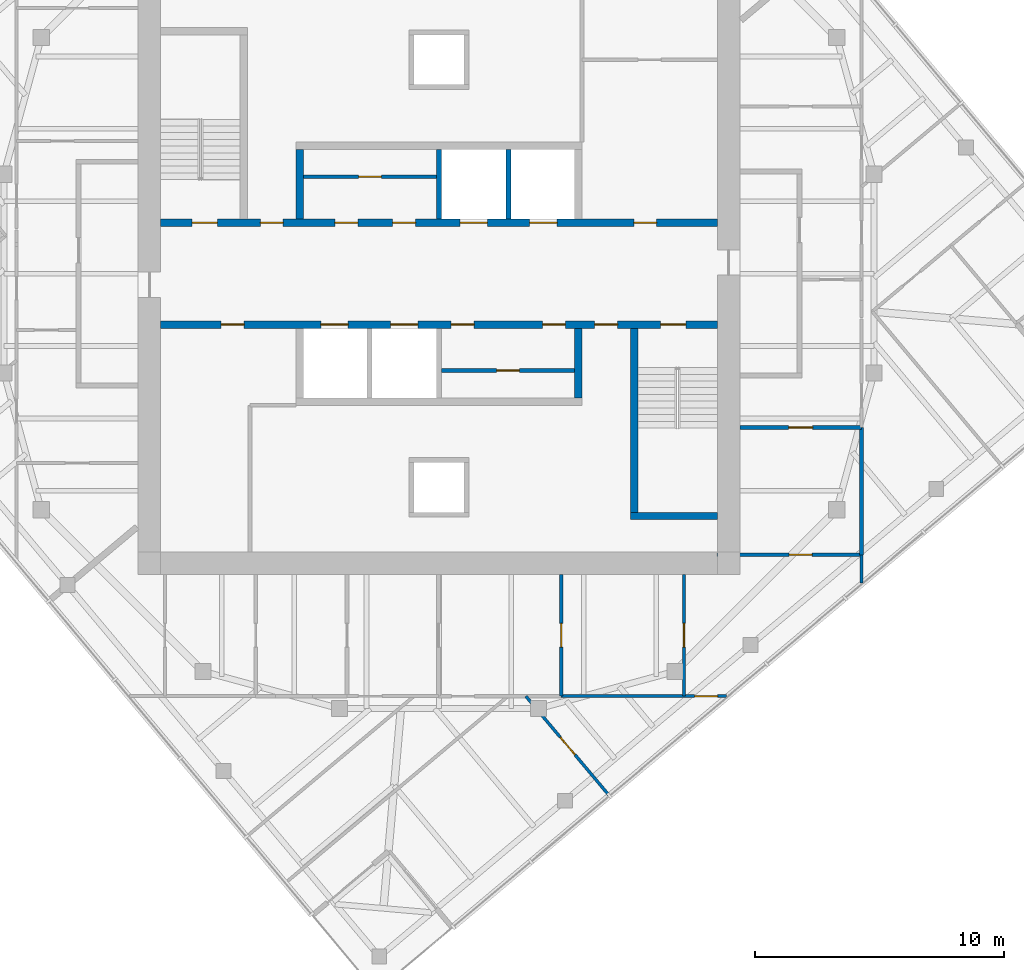
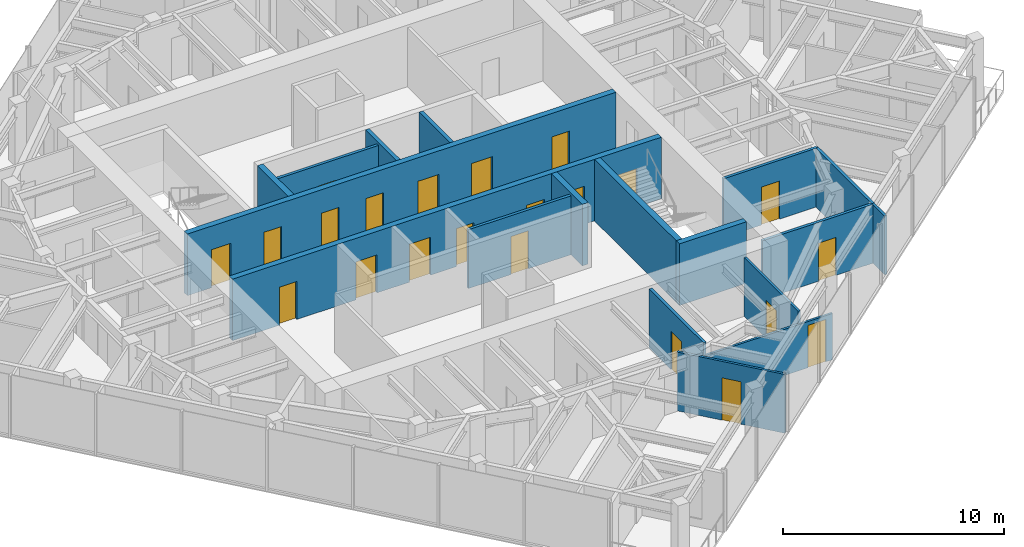
# One storey, part 8 of 12: 22 doors, 18 walls, 22 openings.
"""IFC4 building model written with IfcOpenShell, lengths in metres."""

import ifcopenshell
import ifcopenshell.guid

model = None  # the IFC model being written
_history = None  # IfcOwnerHistory: only IFC2X3 demands one
_inside = {}  # id of a spatial element -> (the spatial element, [elements in it])
_under = {}  # id of a project, library or spatial element -> (it, [spatial elements below it])
_declared = {}  # id of a project -> (the project, [libraries it declares])
_typed = {}  # id of a type object -> (the type object, [elements of that type])
_made_of = {}  # id of a material, layer set ... -> (it, [elements and type objects made of it])


def new_model(schema):
    """Start an empty IFC model of exactly this schema.

    Asked for "IFC4X3", IfcOpenShell would pick the latest addendum, in which some entities
    have other attributes; the version numbers below select the first issue.
    IFC2X3 requires an IfcOwnerHistory on every rooted entity: one is made here for all.
    """
    global model, _history
    if schema == "IFC4X3":
        model = ifcopenshell.file(schema_version=(4, 3, 0, 0))
    else:
        model = ifcopenshell.file(schema=schema)
    _inside.clear()
    _under.clear()
    _declared.clear()
    _typed.clear()
    _made_of.clear()
    _history = None
    if model.schema == "IFC2X3":
        org = make("IfcOrganization", Name="unknown")
        user = make(
            "IfcPersonAndOrganization",
            ThePerson=make("IfcPerson", FamilyName="unknown"),
            TheOrganization=org,
        )
        app = make(
            "IfcApplication",
            ApplicationDeveloper=org,
            Version="unknown",
            ApplicationFullName="unknown",
            ApplicationIdentifier="unknown",
        )
        _history = make(
            "IfcOwnerHistory",
            OwningUser=user,
            OwningApplication=app,
            ChangeAction="ADDED",
            CreationDate=0,
        )
    return model


def make(cls, **values):
    """One entity of the class cls with the attributes given. An attribute that is None is left unset."""
    return model.create_entity(
        cls, **{name: value for name, value in values.items() if value is not None}
    )


def rooted(cls, **values):
    """An entity with a GlobalId (a new one), such as an element, a storey or a relation."""
    return make(cls, GlobalId=ifcopenshell.guid.new(), OwnerHistory=_history, **values)


def si_unit(unit_type, name, prefix=None):
    """IfcSIUnit, for example si_unit("LENGTHUNIT", "METRE", prefix="MILLI")."""
    return make("IfcSIUnit", UnitType=unit_type, Prefix=prefix, Name=name)


def assignment(units):
    """IfcUnitAssignment: the units of a project."""
    return None if units is None else make("IfcUnitAssignment", Units=units)


def point(xyz):
    """IfcCartesianPoint."""
    return None if xyz is None else make("IfcCartesianPoint", Coordinates=xyz)


def direction(xyz):
    """IfcDirection."""
    return None if xyz is None else make("IfcDirection", DirectionRatios=xyz)


def frame(location, z_axis=None, x_axis=None):
    """IfcAxis2Placement3D, a coordinate frame: its origin and axes. An axis left out is left unset."""
    return make(
        "IfcAxis2Placement3D",
        Location=point(location),
        Axis=direction(z_axis),
        RefDirection=direction(x_axis),
    )


def frame_2d(location, x_axis=None):
    """IfcAxis2Placement2D, a coordinate frame in the plane: its origin and x axis."""
    return make(
        "IfcAxis2Placement2D", Location=point(location), RefDirection=direction(x_axis)
    )


def origin():
    """The frame at (0, 0, 0) with its axes left unset."""
    return frame((0.0, 0.0, 0.0))


def place(relative_to, where):
    """IfcLocalPlacement: puts the frame where relative to a parent placement (None: the world)."""
    return make(
        "IfcLocalPlacement", PlacementRelTo=relative_to, RelativePlacement=where
    )


def context(
    kind, dimensions, precision=None, world=None, true_north=None, identifier=None
):
    """IfcGeometricRepresentationContext, for example the 3D "Model" context."""
    return make(
        "IfcGeometricRepresentationContext",
        ContextIdentifier=identifier,
        ContextType=kind,
        CoordinateSpaceDimension=dimensions,
        Precision=precision,
        WorldCoordinateSystem=world,
        TrueNorth=true_north,
    )


def subcontext(parent, identifier, kind, view, scale=None):
    """IfcGeometricRepresentationSubContext, for example "Body" below "Model"."""
    return make(
        "IfcGeometricRepresentationSubContext",
        ContextIdentifier=identifier,
        ContextType=kind,
        ParentContext=parent,
        TargetScale=scale,
        TargetView=view,
    )


def project(units=None, contexts=None):
    """IfcProject with its units and contexts."""
    return rooted(
        "IfcProject",
        Name="project",
        RepresentationContexts=contexts,
        UnitsInContext=assignment(units),
    )


def spatial(cls, under=None, at=None, **own):
    """A site, building, storey or space (cls), placed at a placement, below another one or the project."""
    s = rooted(cls, ObjectPlacement=at, **own)
    if under is not None:
        _under.setdefault(under.id(), (under, []))[1].append(s)
    return s


def profile(cls, at=None, kind="AREA", **sizes):
    """A parametric profile (cls). Its sizes go by their IFC names, for example OverallWidth=200.0."""
    return make(cls, ProfileType=kind, Position=at, **sizes)


def rectangle(**sizes):
    """IfcRectangleProfileDef."""
    return profile("IfcRectangleProfileDef", **sizes)


def extrude(swept, where, along, depth):
    """IfcExtrudedAreaSolid: the profile swept, set in the frame where, extruded along a direction by depth."""
    return make(
        "IfcExtrudedAreaSolid",
        SweptArea=swept,
        Position=where,
        ExtrudedDirection=direction(along),
        Depth=depth,
    )


def shape(context_of_items, identifier, shape_type, items):
    """IfcShapeRepresentation: the items that make up one representation, for example the "Body"."""
    return make(
        "IfcShapeRepresentation",
        ContextOfItems=context_of_items,
        RepresentationIdentifier=identifier,
        RepresentationType=shape_type,
        Items=items,
    )


def material(Name=None, Category=None):
    """IfcMaterial."""
    return make("IfcMaterial", Name=Name, Category=Category)


def layer(
    of_material, thickness, ventilated=None, Name=None, Category=None, Priority=None
):
    """IfcMaterialLayer: one layer of a wall or slab, of a material (None: an air gap)."""
    return make(
        "IfcMaterialLayer",
        Material=of_material,
        LayerThickness=thickness,
        IsVentilated=ventilated,
        Name=Name,
        Category=Category,
        Priority=Priority,
    )


def layer_set(layers, Name=None):
    """IfcMaterialLayerSet."""
    return make("IfcMaterialLayerSet", MaterialLayers=layers, LayerSetName=Name)


def made_of(thing, what):
    """Note that an element or type object is made of a material, layer set ...; save() writes the relation."""
    if what is not None:
        _made_of.setdefault(what.id(), (what, []))[1].append(thing)
    return thing


def type_object(cls, material=None, **own):
    """A type object (cls), such as IfcWallType, which elements share."""
    return made_of(rooted(cls, **own), material)


def element(
    cls,
    number,
    at=None,
    inside=None,
    cuts=None,
    type_object=None,
    material=None,
    context=None,
    identifier="Body",
    shape_type=None,
    held_by="IfcProductDefinitionShape",
    body=None,
    shapes=None,
    **own,
):
    """One element of the class cls, such as IfcWall. Its Tag is "e" and its number.

    at: its placement. inside: the storey or other place that contains it. cuts: it is an
    opening in that element (IfcRelVoidsElement). A single representation is given by context,
    identifier, shape_type and body (its items); several are given by shapes. held_by: the class
    of the entity that holds the representations. save() writes the other relations.
    """
    e = rooted(cls, Tag="e%d" % number, ObjectPlacement=at, **own)
    if body is not None:
        shapes = [shape(context, identifier, shape_type, body)]
    if shapes is not None:
        e.Representation = make(held_by, Representations=shapes)
    if inside is not None:
        _inside.setdefault(inside.id(), (inside, []))[1].append(e)
    if cuts is not None:
        rooted(
            "IfcRelVoidsElement", RelatingBuildingElement=cuts, RelatedOpeningElement=e
        )
    if type_object is not None:
        _typed.setdefault(type_object.id(), (type_object, []))[1].append(e)
    return made_of(e, material)


def fill(opening, filler):
    """IfcRelFillsElement: the door or window that sits in an opening."""
    return rooted(
        "IfcRelFillsElement",
        RelatingOpeningElement=opening,
        RelatedBuildingElement=filler,
    )


def aggregate(whole, parts):
    """IfcRelAggregates: a whole, such as a stair, and the parts it consists of."""
    return rooted("IfcRelAggregates", RelatingObject=whole, RelatedObjects=parts)


def save(model, path):
    """Write the relations noted so far, then the file.

    IfcRelAggregates (storeys below a building ...), IfcRelContainedInSpatialStructure (elements
    in a storey), IfcRelDefinesByType, IfcRelAssociatesMaterial and IfcRelDeclares: one each for
    every whole, place, type object, material and project.
    """
    for whole, parts in _under.values():
        aggregate(whole, parts)
    for where, things in _inside.values():
        rooted(
            "IfcRelContainedInSpatialStructure",
            RelatedElements=things,
            RelatingStructure=where,
        )
    for kind, things in _typed.values():
        rooted("IfcRelDefinesByType", RelatedObjects=things, RelatingType=kind)
    for what, things in _made_of.values():
        rooted("IfcRelAssociatesMaterial", RelatedObjects=things, RelatingMaterial=what)
    for by, libraries in _declared.values():
        rooted("IfcRelDeclares", RelatingContext=by, RelatedDefinitions=libraries)
    model.write(path)


model = new_model("IFC4")

# Units and contexts
model_context = context("Model", 3, precision=1e-05, world=origin(), true_north=direction((0.0, 1.0)))
body_context = subcontext(model_context, "Body", "Model", "MODEL_VIEW")
ifc_project = project(units=[si_unit("LENGTHUNIT", "METRE"), si_unit("AREAUNIT", "SQUARE_METRE"), si_unit("VOLUMEUNIT", "CUBIC_METRE"), si_unit("PLANEANGLEUNIT", "RADIAN"), si_unit("MASSUNIT", "GRAM", prefix="KILO")], contexts=[model_context])

# Site, building, storey
site_placement = place(None, origin())
site = spatial("IfcSite", under=ifc_project, at=site_placement, CompositionType="ELEMENT")
building_placement = place(site_placement, origin())
building = spatial("IfcBuilding", under=site, at=building_placement, Name="Torsade Residences", CompositionType="ELEMENT")
storey_placement = place(building_placement, frame((0.0, 0.0, 279.39990234375)))
storey = spatial("IfcBuildingStorey", under=building, at=storey_placement, Name="L77", CompositionType="ELEMENT", Elevation=279.39990234375)

# Wall, openings, doors
ifc_material_1 = material(Name="Concrete 80 MPa", Category="concrete")
ifc_layer_1 = layer(ifc_material_1, 0.300048828125)
ifc_layer_set_1 = layer_set([ifc_layer_1], Name="Concrete 80 MPa")
wall_type_1 = type_object("IfcWallType", Name="CORE INTERNAL WALL 300", PredefinedType="SHEAR", material=ifc_layer_set_1)
wall_1_placement = place(storey_placement, frame((28.800048828125, 32.050048828125, 0.0), z_axis=(0.0, 0.0, 1.0), x_axis=(1.0, 0.0, 0.0)))
wall_1 = element("IfcWall", 1, at=wall_1_placement, inside=storey, type_object=wall_type_1, Name="Core wall LN L77", PredefinedType="SHEAR", context=body_context, shape_type="SweptSolid", body=[
    extrude(rectangle(XDim=22.39990234375, YDim=0.300048828125, at=frame_2d((11.199951171875, 0.0))), origin(), (0.0, 0.0, 1.0), 3.400146484375),
])
opening_1_placement = place(wall_1_placement, frame((19.0400390625, 0.0, 0.0)))
opening_1 = element("IfcOpeningElement", 2, at=opening_1_placement, cuts=wall_1, Name="Opening D06", PredefinedType="OPENING", context=body_context, shape_type="SweptSolid", body=[
    extrude(rectangle(XDim=0.919921875, YDim=2.10009765625, at=frame_2d((0.4599609375, 1.050048828125))), frame((0.0, 0.159912109375, 0.0), z_axis=(0.0, -1.0, 0.0), x_axis=(1.0, 0.0, 0.0)), (0.0, 0.0, 1.0), 0.320068359375),
])
opening_2_placement = place(wall_1_placement, frame((1.264892578125, 0.0, 0.0)))
opening_2 = element("IfcOpeningElement", 3, at=opening_2_placement, cuts=wall_1, Name="Opening D03", PredefinedType="OPENING", context=body_context, shape_type="SweptSolid", body=[
    extrude(rectangle(XDim=1.02001953125, YDim=2.10009765625, at=frame_2d((0.510009765625, 1.050048828125))), frame((0.0, 0.159912109375, 0.0), z_axis=(0.0, -1.0, 0.0), x_axis=(1.0, 0.0, 0.0)), (0.0, 0.0, 1.0), 0.320068359375),
])
opening_3_placement = place(wall_1_placement, frame((4.014892578125, 0.0, 0.0)))
opening_3 = element("IfcOpeningElement", 4, at=opening_3_placement, cuts=wall_1, Name="Opening D06", PredefinedType="OPENING", context=body_context, shape_type="SweptSolid", body=[
    extrude(rectangle(XDim=0.919921875, YDim=2.10009765625, at=frame_2d((0.4599609375, 1.050048828125))), frame((0.0, 0.159912109375, 0.0), z_axis=(0.0, -1.0, 0.0), x_axis=(1.0, 0.0, 0.0)), (0.0, 0.0, 1.0), 0.320068359375),
])
opening_4_placement = place(wall_1_placement, frame((7.014892578125, 0.0, 0.0)))
opening_4 = element("IfcOpeningElement", 5, at=opening_4_placement, cuts=wall_1, Name="Opening D06", PredefinedType="OPENING", context=body_context, shape_type="SweptSolid", body=[
    extrude(rectangle(XDim=0.919921875, YDim=2.10009765625, at=frame_2d((0.4599609375, 1.050048828125))), frame((0.0, 0.159912109375, 0.0), z_axis=(0.0, -1.0, 0.0), x_axis=(1.0, 0.0, 0.0)), (0.0, 0.0, 1.0), 0.320068359375),
])
opening_5_placement = place(wall_1_placement, frame((9.340087890625, 0.0, 0.0)))
opening_5 = element("IfcOpeningElement", 6, at=opening_5_placement, cuts=wall_1, Name="Opening D06", PredefinedType="OPENING", context=body_context, shape_type="SweptSolid", body=[
    extrude(rectangle(XDim=0.919921875, YDim=2.10009765625, at=frame_2d((0.4599609375, 1.050048828125))), frame((0.0, 0.159912109375, 0.0), z_axis=(0.0, -1.0, 0.0), x_axis=(1.0, 0.0, 0.0)), (0.0, 0.0, 1.0), 0.320068359375),
])
opening_6_placement = place(wall_1_placement, frame((12.050048828125, 0.0, 0.0)))
opening_6 = element("IfcOpeningElement", 7, at=opening_6_placement, cuts=wall_1, Name="Opening LD", PredefinedType="OPENING", context=body_context, shape_type="SweptSolid", body=[
    extrude(rectangle(XDim=1.10009765625, YDim=2.10009765625, at=frame_2d((0.550048828125, 1.050048828125))), frame((0.0, 0.159912109375, 0.0), z_axis=(0.0, -1.0, 0.0), x_axis=(1.0, 0.0, 0.0)), (0.0, 0.0, 1.0), 0.320068359375),
])
opening_7_placement = place(wall_1_placement, frame((14.85009765625, 0.0, 0.0)))
opening_7 = element("IfcOpeningElement", 8, at=opening_7_placement, cuts=wall_1, Name="Opening LD", PredefinedType="OPENING", context=body_context, shape_type="SweptSolid", body=[
    extrude(rectangle(XDim=1.10009765625, YDim=2.10009765625, at=frame_2d((0.550048828125, 1.050048828125))), frame((0.0, 0.159912109375, 0.0), z_axis=(0.0, -1.0, 0.0), x_axis=(1.0, 0.0, 0.0)), (0.0, 0.0, 1.0), 0.320068359375),
])
ifc_material_2 = material(Name="Steel-framed fire door", Category="steel")
door_type_1 = type_object("IfcDoorType", Name="FIRE DOOR 1020", OperationType="NOTDEFINED", PredefinedType="DOOR", material=ifc_material_2)
door_1_placement = place(opening_2_placement, origin())
door_1 = element("IfcDoor", 9, at=door_1_placement, inside=storey, type_object=door_type_1, Name="Exit door to fire-isolated stair ST1 L77", OperationType="SINGLE_SWING_RIGHT", OverallHeight=2.10009765625, OverallWidth=1.02001953125, PredefinedType="DOOR", context=body_context, shape_type="SweptSolid", body=[
    extrude(rectangle(XDim=1.02001953125, YDim=2.10009765625, at=frame_2d((0.510009765625, 1.050048828125))), frame((0.0, 0.02490234375, 0.0), z_axis=(0.0, -1.0, 0.0), x_axis=(1.0, 0.0, 0.0)), (0.0, 0.0, 1.0), 0.050048828125),
])
fill(opening_2, door_1)
ifc_material_3 = material(Name="Steel-framed fire door", Category="steel")
door_type_2 = type_object("IfcDoorType", Name="FIRE DOOR 920", OperationType="NOTDEFINED", PredefinedType="DOOR", material=ifc_material_3)
door_2_placement = place(opening_1_placement, origin())
door_2 = element("IfcDoor", 10, at=door_2_placement, inside=storey, type_object=door_type_2, Name="Door Lift lobby to Refuse room", OperationType="SINGLE_SWING_LEFT", OverallHeight=2.10009765625, OverallWidth=0.919921875, PredefinedType="DOOR", context=body_context, shape_type="SweptSolid", body=[
    extrude(rectangle(XDim=0.919921875, YDim=2.10009765625, at=frame_2d((0.4599609375, 1.050048828125))), frame((0.0, 0.02490234375, 0.0), z_axis=(0.0, -1.0, 0.0), x_axis=(1.0, 0.0, 0.0)), (0.0, 0.0, 1.0), 0.050048828125),
])
fill(opening_1, door_2)
door_3_placement = place(opening_3_placement, origin())
door_3 = element("IfcDoor", 11, at=door_3_placement, inside=storey, type_object=door_type_2, Name="Door Lift lobby to Electrical riser room", OperationType="SINGLE_SWING_LEFT", OverallHeight=2.10009765625, OverallWidth=0.919921875, PredefinedType="DOOR", context=body_context, shape_type="SweptSolid", body=[
    extrude(rectangle(XDim=0.919921875, YDim=2.10009765625, at=frame_2d((0.4599609375, 1.050048828125))), frame((0.0, 0.02490234375, 0.0), z_axis=(0.0, -1.0, 0.0), x_axis=(1.0, 0.0, 0.0)), (0.0, 0.0, 1.0), 0.050048828125),
])
fill(opening_3, door_3)
door_4_placement = place(opening_4_placement, origin())
door_4 = element("IfcDoor", 12, at=door_4_placement, inside=storey, type_object=door_type_2, Name="Door Lift lobby to Linen store L77A", OperationType="SINGLE_SWING_RIGHT", OverallHeight=2.10009765625, OverallWidth=0.919921875, PredefinedType="DOOR", context=body_context, shape_type="SweptSolid", body=[
    extrude(rectangle(XDim=0.919921875, YDim=2.10009765625, at=frame_2d((0.4599609375, 1.050048828125))), frame((0.0, 0.02490234375, 0.0), z_axis=(0.0, -1.0, 0.0), x_axis=(1.0, 0.0, 0.0)), (0.0, 0.0, 1.0), 0.050048828125),
])
fill(opening_4, door_4)
door_5_placement = place(opening_5_placement, origin())
door_5 = element("IfcDoor", 13, at=door_5_placement, inside=storey, type_object=door_type_2, Name="Door Lift lobby to Linen store L77A", OperationType="SINGLE_SWING_RIGHT", OverallHeight=2.10009765625, OverallWidth=0.919921875, PredefinedType="DOOR", context=body_context, shape_type="SweptSolid", body=[
    extrude(rectangle(XDim=0.919921875, YDim=2.10009765625, at=frame_2d((0.4599609375, 1.050048828125))), frame((0.0, 0.02490234375, 0.0), z_axis=(0.0, -1.0, 0.0), x_axis=(1.0, 0.0, 0.0)), (0.0, 0.0, 1.0), 0.050048828125),
])
fill(opening_5, door_5)
ifc_material_4 = material(Name="Stainless steel lift landing door", Category="steel")
door_type_3 = type_object("IfcDoorType", Name="LIFT LANDING DOOR 1100", OperationType="SLIDING_TO_LEFT", PredefinedType="DOOR", material=ifc_material_4)
door_6_placement = place(opening_6_placement, origin())
door_6 = element("IfcDoor", 14, at=door_6_placement, inside=storey, type_object=door_type_3, Name="Lift LA3 landing door L77", OperationType="SLIDING_TO_LEFT", OverallHeight=2.10009765625, OverallWidth=1.10009765625, PredefinedType="DOOR", context=body_context, shape_type="SweptSolid", body=[
    extrude(rectangle(XDim=1.10009765625, YDim=2.10009765625, at=frame_2d((0.550048828125, 1.050048828125))), frame((0.0, 0.02490234375, 0.0), z_axis=(0.0, -1.0, 0.0), x_axis=(1.0, 0.0, 0.0)), (0.0, 0.0, 1.0), 0.050048828125),
])
fill(opening_6, door_6)
door_7_placement = place(opening_7_placement, origin())
door_7 = element("IfcDoor", 15, at=door_7_placement, inside=storey, type_object=door_type_3, Name="Lift FL1 landing door L77", OperationType="SLIDING_TO_LEFT", OverallHeight=2.10009765625, OverallWidth=1.10009765625, PredefinedType="DOOR", context=body_context, shape_type="SweptSolid", body=[
    extrude(rectangle(XDim=1.10009765625, YDim=2.10009765625, at=frame_2d((0.550048828125, 1.050048828125))), frame((0.0, 0.02490234375, 0.0), z_axis=(0.0, -1.0, 0.0), x_axis=(1.0, 0.0, 0.0)), (0.0, 0.0, 1.0), 0.050048828125),
])
fill(opening_7, door_7)

wall_2_placement = place(storey_placement, frame((51.199951171875, 27.949951171875, 0.0), z_axis=(0.0, 0.0, 1.0), x_axis=(-1.0, 0.0, 0.0)))
wall_2 = element("IfcWall", 16, at=wall_2_placement, inside=storey, type_object=wall_type_1, Name="Core wall LS L77", PredefinedType="SHEAR", context=body_context, shape_type="SweptSolid", body=[
    extrude(rectangle(XDim=22.39990234375, YDim=0.300048828125, at=frame_2d((11.199951171875, 0.0))), origin(), (0.0, 0.0, 1.0), 3.400146484375),
])
opening_8_placement = place(wall_2_placement, frame((19.0400390625, 0.0, 0.0)))
opening_8 = element("IfcOpeningElement", 17, at=opening_8_placement, cuts=wall_2, Name="Opening D06", PredefinedType="OPENING", context=body_context, shape_type="SweptSolid", body=[
    extrude(rectangle(XDim=0.919921875, YDim=2.10009765625, at=frame_2d((0.4599609375, 1.050048828125))), frame((0.0, 0.159912109375, 0.0), z_axis=(0.0, -1.0, 0.0), x_axis=(1.0, 0.0, 0.0)), (0.0, 0.0, 1.0), 0.320068359375),
])
opening_9_placement = place(wall_2_placement, frame((1.264892578125, 0.0, 0.0)))
opening_9 = element("IfcOpeningElement", 18, at=opening_9_placement, cuts=wall_2, Name="Opening D03", PredefinedType="OPENING", context=body_context, shape_type="SweptSolid", body=[
    extrude(rectangle(XDim=1.02001953125, YDim=2.10009765625, at=frame_2d((0.510009765625, 1.050048828125))), frame((0.0, 0.159912109375, 0.0), z_axis=(0.0, -1.0, 0.0), x_axis=(1.0, 0.0, 0.0)), (0.0, 0.0, 1.0), 0.320068359375),
])
opening_10_placement = place(wall_2_placement, frame((4.014892578125, 0.0, 0.0)))
opening_10 = element("IfcOpeningElement", 19, at=opening_10_placement, cuts=wall_2, Name="Opening D06", PredefinedType="OPENING", context=body_context, shape_type="SweptSolid", body=[
    extrude(rectangle(XDim=0.919921875, YDim=2.10009765625, at=frame_2d((0.4599609375, 1.050048828125))), frame((0.0, 0.159912109375, 0.0), z_axis=(0.0, -1.0, 0.0), x_axis=(1.0, 0.0, 0.0)), (0.0, 0.0, 1.0), 0.320068359375),
])
opening_11_placement = place(wall_2_placement, frame((9.7900390625, 0.0, 0.0)))
opening_11 = element("IfcOpeningElement", 20, at=opening_11_placement, cuts=wall_2, Name="Opening D06", PredefinedType="OPENING", context=body_context, shape_type="SweptSolid", body=[
    extrude(rectangle(XDim=0.919921875, YDim=2.10009765625, at=frame_2d((0.4599609375, 1.050048828125))), frame((0.0, 0.159912109375, 0.0), z_axis=(0.0, -1.0, 0.0), x_axis=(1.0, 0.0, 0.0)), (0.0, 0.0, 1.0), 0.320068359375),
])
opening_12_placement = place(wall_2_placement, frame((6.114990234375, 0.0, 0.0)))
opening_12 = element("IfcOpeningElement", 21, at=opening_12_placement, cuts=wall_2, Name="Opening D06", PredefinedType="OPENING", context=body_context, shape_type="SweptSolid", body=[
    extrude(rectangle(XDim=0.919921875, YDim=2.10009765625, at=frame_2d((0.4599609375, 1.050048828125))), frame((0.0, 0.159912109375, 0.0), z_axis=(0.0, -1.0, 0.0), x_axis=(1.0, 0.0, 0.0)), (0.0, 0.0, 1.0), 0.320068359375),
])
opening_13_placement = place(wall_2_placement, frame((12.050048828125, 0.0, 0.0)))
opening_13 = element("IfcOpeningElement", 22, at=opening_13_placement, cuts=wall_2, Name="Opening LD", PredefinedType="OPENING", context=body_context, shape_type="SweptSolid", body=[
    extrude(rectangle(XDim=1.10009765625, YDim=2.10009765625, at=frame_2d((0.550048828125, 1.050048828125))), frame((0.0, 0.159912109375, 0.0), z_axis=(0.0, -1.0, 0.0), x_axis=(1.0, 0.0, 0.0)), (0.0, 0.0, 1.0), 0.320068359375),
])
opening_14_placement = place(wall_2_placement, frame((14.85009765625, 0.0, 0.0)))
opening_14 = element("IfcOpeningElement", 23, at=opening_14_placement, cuts=wall_2, Name="Opening LD", PredefinedType="OPENING", context=body_context, shape_type="SweptSolid", body=[
    extrude(rectangle(XDim=1.10009765625, YDim=2.10009765625, at=frame_2d((0.550048828125, 1.050048828125))), frame((0.0, 0.159912109375, 0.0), z_axis=(0.0, -1.0, 0.0), x_axis=(1.0, 0.0, 0.0)), (0.0, 0.0, 1.0), 0.320068359375),
])
door_8_placement = place(opening_9_placement, origin())
door_8 = element("IfcDoor", 24, at=door_8_placement, inside=storey, type_object=door_type_1, Name="Exit door to fire-isolated stair ST2 L77", OperationType="SINGLE_SWING_RIGHT", OverallHeight=2.10009765625, OverallWidth=1.02001953125, PredefinedType="DOOR", context=body_context, shape_type="SweptSolid", body=[
    extrude(rectangle(XDim=1.02001953125, YDim=2.10009765625, at=frame_2d((0.510009765625, 1.050048828125))), frame((0.0, 0.02490234375, 0.0), z_axis=(0.0, -1.0, 0.0), x_axis=(1.0, 0.0, 0.0)), (0.0, 0.0, 1.0), 0.050048828125),
])
fill(opening_9, door_8)
door_9_placement = place(opening_8_placement, origin())
door_9 = element("IfcDoor", 25, at=door_9_placement, inside=storey, type_object=door_type_2, Name="Door Lift lobby to Cleaner store", OperationType="SINGLE_SWING_LEFT", OverallHeight=2.10009765625, OverallWidth=0.919921875, PredefinedType="DOOR", context=body_context, shape_type="SweptSolid", body=[
    extrude(rectangle(XDim=0.919921875, YDim=2.10009765625, at=frame_2d((0.4599609375, 1.050048828125))), frame((0.0, 0.02490234375, 0.0), z_axis=(0.0, -1.0, 0.0), x_axis=(1.0, 0.0, 0.0)), (0.0, 0.0, 1.0), 0.050048828125),
])
fill(opening_8, door_9)
door_10_placement = place(opening_10_placement, origin())
door_10 = element("IfcDoor", 26, at=door_10_placement, inside=storey, type_object=door_type_2, Name="Door Lift lobby to Communications riser room", OperationType="SINGLE_SWING_RIGHT", OverallHeight=2.10009765625, OverallWidth=0.919921875, PredefinedType="DOOR", context=body_context, shape_type="SweptSolid", body=[
    extrude(rectangle(XDim=0.919921875, YDim=2.10009765625, at=frame_2d((0.4599609375, 1.050048828125))), frame((0.0, 0.02490234375, 0.0), z_axis=(0.0, -1.0, 0.0), x_axis=(1.0, 0.0, 0.0)), (0.0, 0.0, 1.0), 0.050048828125),
])
fill(opening_10, door_10)
door_11_placement = place(opening_11_placement, origin())
door_11 = element("IfcDoor", 27, at=door_11_placement, inside=storey, type_object=door_type_2, Name="Door Lift lobby to Cleaners store L77C", OperationType="SINGLE_SWING_RIGHT", OverallHeight=2.10009765625, OverallWidth=0.919921875, PredefinedType="DOOR", context=body_context, shape_type="SweptSolid", body=[
    extrude(rectangle(XDim=0.919921875, YDim=2.10009765625, at=frame_2d((0.4599609375, 1.050048828125))), frame((0.0, 0.02490234375, 0.0), z_axis=(0.0, -1.0, 0.0), x_axis=(1.0, 0.0, 0.0)), (0.0, 0.0, 1.0), 0.050048828125),
])
fill(opening_11, door_11)
door_12_placement = place(opening_12_placement, origin())
door_12 = element("IfcDoor", 28, at=door_12_placement, inside=storey, type_object=door_type_2, Name="Door Lift lobby to Cleaners store L77C", OperationType="SINGLE_SWING_LEFT", OverallHeight=2.10009765625, OverallWidth=0.919921875, PredefinedType="DOOR", context=body_context, shape_type="SweptSolid", body=[
    extrude(rectangle(XDim=0.919921875, YDim=2.10009765625, at=frame_2d((0.4599609375, 1.050048828125))), frame((0.0, 0.02490234375, 0.0), z_axis=(0.0, -1.0, 0.0), x_axis=(1.0, 0.0, 0.0)), (0.0, 0.0, 1.0), 0.050048828125),
])
fill(opening_12, door_12)
door_13_placement = place(opening_13_placement, origin())
door_13 = element("IfcDoor", 29, at=door_13_placement, inside=storey, type_object=door_type_3, Name="Lift LB3 landing door L77", OperationType="SLIDING_TO_LEFT", OverallHeight=2.10009765625, OverallWidth=1.10009765625, PredefinedType="DOOR", context=body_context, shape_type="SweptSolid", body=[
    extrude(rectangle(XDim=1.10009765625, YDim=2.10009765625, at=frame_2d((0.550048828125, 1.050048828125))), frame((0.0, 0.02490234375, 0.0), z_axis=(0.0, -1.0, 0.0), x_axis=(1.0, 0.0, 0.0)), (0.0, 0.0, 1.0), 0.050048828125),
])
fill(opening_13, door_13)
door_14_placement = place(opening_14_placement, origin())
door_14 = element("IfcDoor", 30, at=door_14_placement, inside=storey, type_object=door_type_3, Name="Lift FL2 landing door L77", OperationType="SLIDING_TO_LEFT", OverallHeight=2.10009765625, OverallWidth=1.10009765625, PredefinedType="DOOR", context=body_context, shape_type="SweptSolid", body=[
    extrude(rectangle(XDim=1.10009765625, YDim=2.10009765625, at=frame_2d((0.550048828125, 1.050048828125))), frame((0.0, 0.02490234375, 0.0), z_axis=(0.0, -1.0, 0.0), x_axis=(1.0, 0.0, 0.0)), (0.0, 0.0, 1.0), 0.050048828125),
])
fill(opening_14, door_14)

# Walls
for number, where, z_axis, x_axis, name in (
    (31, (34.39990234375, 32.199951171875, 0.0), (0.0, 0.0, 1.0), (0.0, 1.0, 0.0), "Core wall DN0 L77"),
    (32, (45.60009765625, 27.800048828125, 0.0), (0.0, 0.0, 1.0), (0.0, -1.0, 0.0), "Core wall DS0 L77"),
):
    element("IfcWall", number, at=place(storey_placement, frame(where, z_axis=z_axis, x_axis=x_axis)), inside=storey, type_object=wall_type_1, Name=name, PredefinedType="SHEAR", context=body_context, shape_type="SweptSolid", body=[
        extrude(rectangle(XDim=2.800048828125, YDim=0.300048828125, at=frame_2d((1.39990234375, 0.0))), origin(), (0.0, 0.0, 1.0), 3.400146484375),
    ])
wall_3_placement = place(storey_placement, frame((47.85009765625, 27.800048828125, 0.0), z_axis=(0.0, 0.0, 1.0), x_axis=(0.0, -1.0, 0.0)))
element("IfcWall", 33, at=wall_3_placement, inside=storey, type_object=wall_type_1, Name="Core wall ST2W L77", PredefinedType="SHEAR", context=body_context, shape_type="SweptSolid", body=[
    extrude(rectangle(XDim=7.699951171875, YDim=0.300048828125, at=frame_2d((3.85009765625, 0.0))), origin(), (0.0, 0.0, 1.0), 3.400146484375),
])
wall_4_placement = place(storey_placement, frame((51.199951171875, 20.25, 0.0), z_axis=(0.0, 0.0, 1.0), x_axis=(-1.0, 0.0, 0.0)))
element("IfcWall", 34, at=wall_4_placement, inside=storey, type_object=wall_type_1, Name="Core wall ST2S L77", PredefinedType="SHEAR", context=body_context, shape_type="SweptSolid", body=[
    extrude(rectangle(XDim=3.5, YDim=0.300048828125, at=frame_2d((1.75, 0.0))), origin(), (0.0, 0.0, 1.0), 3.400146484375),
])
ifc_material_5 = material(Name="Reinforced blockwork", Category="masonry")
ifc_layer_2 = layer(ifc_material_5, 0.199951171875)
ifc_layer_set_2 = layer_set([ifc_layer_2], Name="Reinforced blockwork")
wall_type_2 = type_object("IfcWallType", Name="LIFT SHAFT DIVIDING WALL 200", PredefinedType="SOLIDWALL", material=ifc_layer_set_2)
for number, where, z_axis, x_axis, name in (
    (35, (40.0, 32.199951171875, 0.0), (0.0, 0.0, 1.0), (0.0, 1.0, 0.0), "Core wall DN2 L77"),
    (36, (42.800048828125, 32.199951171875, 0.0), (0.0, 0.0, 1.0), (0.0, 1.0, 0.0), "Core wall DN3 L77"),
):
    element("IfcWall", number, at=place(storey_placement, frame(where, z_axis=z_axis, x_axis=x_axis)), inside=storey, type_object=wall_type_2, Name=name, PredefinedType="SOLIDWALL", context=body_context, shape_type="SweptSolid", body=[
        extrude(rectangle(XDim=2.800048828125, YDim=0.199951171875, at=frame_2d((1.39990234375, 0.0))), origin(), (0.0, 0.0, 1.0), 3.400146484375),
    ])

# Wall, opening, door
ifc_material_6 = material(Name="Plasterboard on steel stud", Category="steel")
ifc_layer_3 = layer(ifc_material_6, 0.1201171875)
ifc_layer_set_3 = layer_set([ifc_layer_3], Name="Plasterboard on steel stud")
wall_type_3 = type_object("IfcWallType", Name="PARTITION 120", PredefinedType="PARTITIONING", material=ifc_layer_set_3)
wall_5_placement = place(storey_placement, frame((49.859619140625, 17.89990234375, 0.0), z_axis=(0.0, 0.0, 1.0), x_axis=(0.0, -1.0, 0.0)))
wall_5 = element("IfcWall", 37, at=wall_5_placement, inside=storey, type_object=wall_type_3, Name="Partition L77", PredefinedType="PARTITIONING", context=body_context, shape_type="SweptSolid", body=[
    extrude(rectangle(XDim=4.89990234375, YDim=0.1201171875, at=frame_2d((2.449951171875, 0.0))), origin(), (0.0, 0.0, 1.0), 3.25),
])
opening_15_placement = place(wall_5_placement, frame((1.969970703125, 0.0, 0.0)))
opening_15 = element("IfcOpeningElement", 38, at=opening_15_placement, cuts=wall_5, Name="Opening D05", PredefinedType="OPENING", context=body_context, shape_type="SweptSolid", body=[
    extrude(rectangle(XDim=0.9599609375, YDim=2.10009765625, at=frame_2d((0.47998046875, 1.050048828125))), frame((0.0, 0.070068359375, 0.0), z_axis=(0.0, -1.0, 0.0), x_axis=(1.0, 0.0, 0.0)), (0.0, 0.0, 1.0), 0.14013671875),
])
ifc_material_7 = material(Name="Hollow-core timber door in a steel cavity frame", Category="steel")
door_type_4 = type_object("IfcDoorType", Name="BATHROOM CAVITY SLIDING DOOR 960", OperationType="SLIDING_TO_LEFT", PredefinedType="DOOR", material=ifc_material_7)
door_15_placement = place(opening_15_placement, origin())
door_15 = element("IfcDoor", 39, at=door_15_placement, inside=storey, type_object=door_type_4, Name="Door Study to Laundry", OperationType="SLIDING_TO_LEFT", OverallHeight=2.10009765625, OverallWidth=0.9599609375, PredefinedType="DOOR", context=body_context, shape_type="SweptSolid", body=[
    extrude(rectangle(XDim=0.9599609375, YDim=2.10009765625, at=frame_2d((0.47998046875, 1.050048828125))), frame((0.0, 0.02490234375, 0.0), z_axis=(0.0, -1.0, 0.0), x_axis=(1.0, 0.0, 0.0)), (0.0, 0.0, 1.0), 0.050048828125),
])
fill(opening_15, door_15)

wall_6_placement = place(storey_placement, frame((51.5703125, 13.0, 0.0), z_axis=(0.0, 0.0, 1.0), x_axis=(-1.0, 0.0, 0.0)))
wall_6 = element("IfcWall", 40, at=wall_6_placement, inside=storey, type_object=wall_type_3, Name="Partition L77", PredefinedType="PARTITIONING", context=body_context, shape_type="SweptSolid", body=[
    extrude(rectangle(XDim=6.65234375, YDim=0.1201171875, at=frame_2d((3.326171875, 0.0))), origin(), (0.0, 0.0, 1.0), 2.550048828125),
])
opening_16_placement = place(wall_6_placement, frame((0.3642578125, 0.0, 0.0)))
opening_16 = element("IfcOpeningElement", 41, at=opening_16_placement, cuts=wall_6, Name="Opening D02", PredefinedType="OPENING", context=body_context, shape_type="SweptSolid", body=[
    extrude(rectangle(XDim=0.919921875, YDim=2.340087890625, at=frame_2d((0.4599609375, 1.169921875))), frame((0.0, 0.070068359375, 0.0), z_axis=(0.0, -1.0, 0.0), x_axis=(1.0, 0.0, 0.0)), (0.0, 0.0, 1.0), 0.14013671875),
])
ifc_material_8 = material(Name="Hollow-core timber door", Category="wood")
door_type_5 = type_object("IfcDoorType", Name="INTERNAL DOOR 920x2340", OperationType="NOTDEFINED", PredefinedType="DOOR", material=ifc_material_8)
door_16_placement = place(opening_16_placement, origin())
door_16 = element("IfcDoor", 42, at=door_16_placement, inside=storey, type_object=door_type_5, Name="Door Study to Family room", OperationType="SINGLE_SWING_RIGHT", OverallHeight=2.340087890625, OverallWidth=0.919921875, PredefinedType="DOOR", context=body_context, shape_type="SweptSolid", body=[
    extrude(rectangle(XDim=0.919921875, YDim=2.340087890625, at=frame_2d((0.4599609375, 1.169921875))), frame((0.0, 0.02490234375, 0.0), z_axis=(0.0, -1.0, 0.0), x_axis=(1.0, 0.0, 0.0)), (0.0, 0.0, 1.0), 0.050048828125),
])
fill(opening_16, door_16)

# Wall
wall_7_placement = place(storey_placement, frame((57.0, 18.689453125, 0.0), z_axis=(0.0, 0.0, 1.0), x_axis=(0.0, -1.0, 0.0)))
element("IfcWall", 43, at=wall_7_placement, inside=storey, type_object=wall_type_3, Name="Partition L77", PredefinedType="PARTITIONING", context=body_context, shape_type="SweptSolid", body=[
    extrude(rectangle(XDim=1.13330078125, YDim=0.1201171875, at=frame_2d((0.566650390625, 0.0))), origin(), (0.0, 0.0, 1.0), 3.25),
])

# Wall, opening, door
wall_8_placement = place(storey_placement, frame((43.4951171875, 13.0, 0.0), z_axis=(0.0, 0.0, 1.0), x_axis=(0.642776136034, -0.76605407051, 0.0)))
wall_8 = element("IfcWall", 44, at=wall_8_placement, inside=storey, type_object=wall_type_3, Name="Partition L77", PredefinedType="PARTITIONING", context=body_context, shape_type="SweptSolid", body=[
    extrude(rectangle(XDim=5.190673828125, YDim=0.1201171875, at=frame_2d((2.59521484375, 0.0))), origin(), (0.0, 0.0, 1.0), 3.25),
])
opening_17_placement = place(wall_8_placement, frame((2.1552734375, 0.0, 0.0)))
opening_17 = element("IfcOpeningElement", 45, at=opening_17_placement, cuts=wall_8, Name="Opening D02", PredefinedType="OPENING", context=body_context, shape_type="SweptSolid", body=[
    extrude(rectangle(XDim=0.919921875, YDim=2.340087890625, at=frame_2d((0.4599609375, 1.169921875))), frame((0.0, 0.070068359375, 0.0), z_axis=(0.0, -1.0, 0.0), x_axis=(1.0, 0.0, 0.0)), (0.0, 0.0, 1.0), 0.14013671875),
])
door_17_placement = place(opening_17_placement, origin())
door_17 = element("IfcDoor", 46, at=door_17_placement, inside=storey, type_object=door_type_5, Name="Door Family room to Living room", OperationType="SINGLE_SWING_LEFT", OverallHeight=2.340087890625, OverallWidth=0.919921875, PredefinedType="DOOR", context=body_context, shape_type="SweptSolid", body=[
    extrude(rectangle(XDim=0.919921875, YDim=2.340087890625, at=frame_2d((0.4599609375, 1.169921875))), frame((0.0, 0.02490234375, 0.0), z_axis=(0.0, -1.0, 0.0), x_axis=(1.0, 0.0, 0.0)), (0.0, 0.0, 1.0), 0.050048828125),
])
fill(opening_17, door_17)

ifc_material_9 = material(Name="Reinforced blockwork", Category="masonry")
ifc_layer_4 = layer(ifc_material_9, 0.14990234375)
ifc_layer_set_4 = layer_set([ifc_layer_4], Name="Reinforced blockwork")
wall_type_4 = type_object("IfcWallType", Name="SERVICE ROOM WALL 150", PredefinedType="SOLIDWALL", material=ifc_layer_set_4)
wall_9_placement = place(storey_placement, frame((57.0, 23.81005859375, 0.0), z_axis=(0.0, 0.0, 1.0), x_axis=(-1.0, 0.0, 0.0)))
wall_9 = element("IfcWall", 47, at=wall_9_placement, inside=storey, type_object=wall_type_4, Name="Service room wall L77", PredefinedType="SOLIDWALL", context=body_context, shape_type="SweptSolid", body=[
    extrude(rectangle(XDim=4.89990234375, YDim=0.14990234375, at=frame_2d((2.449951171875, 0.0))), origin(), (0.0, 0.0, 1.0), 3.25),
])
opening_18_placement = place(wall_9_placement, frame((1.969970703125, 0.0, 0.0)))
opening_18 = element("IfcOpeningElement", 48, at=opening_18_placement, cuts=wall_9, Name="Opening D05", PredefinedType="OPENING", context=body_context, shape_type="SweptSolid", body=[
    extrude(rectangle(XDim=0.9599609375, YDim=2.10009765625, at=frame_2d((0.47998046875, 1.050048828125))), frame((0.0, 0.0849609375, 0.0), z_axis=(0.0, -1.0, 0.0), x_axis=(1.0, 0.0, 0.0)), (0.0, 0.0, 1.0), 0.169921875),
])
door_18_placement = place(opening_18_placement, origin())
door_18 = element("IfcDoor", 49, at=door_18_placement, inside=storey, type_object=door_type_4, Name="Door Bathroom to Linen store 3", OperationType="SLIDING_TO_LEFT", OverallHeight=2.10009765625, OverallWidth=0.9599609375, PredefinedType="DOOR", context=body_context, shape_type="SweptSolid", body=[
    extrude(rectangle(XDim=0.9599609375, YDim=2.10009765625, at=frame_2d((0.47998046875, 1.050048828125))), frame((0.0, 0.02490234375, 0.0), z_axis=(0.0, -1.0, 0.0), x_axis=(1.0, 0.0, 0.0)), (0.0, 0.0, 1.0), 0.050048828125),
])
fill(opening_18, door_18)

wall_10_placement = place(storey_placement, frame((44.91796875, 13.0, 0.0), z_axis=(0.0, 0.0, 1.0), x_axis=(0.0, 1.0, 0.0)))
wall_10 = element("IfcWall", 50, at=wall_10_placement, inside=storey, type_object=wall_type_4, Name="Service room wall L77", PredefinedType="SOLIDWALL", context=body_context, shape_type="SweptSolid", body=[
    extrude(rectangle(XDim=4.89990234375, YDim=0.14990234375, at=frame_2d((2.449951171875, 0.0))), origin(), (0.0, 0.0, 1.0), 3.25),
])
opening_19_placement = place(wall_10_placement, frame((1.969970703125, 0.0, 0.0)))
opening_19 = element("IfcOpeningElement", 51, at=opening_19_placement, cuts=wall_10, Name="Opening D05", PredefinedType="OPENING", context=body_context, shape_type="SweptSolid", body=[
    extrude(rectangle(XDim=0.9599609375, YDim=2.10009765625, at=frame_2d((0.47998046875, 1.050048828125))), frame((0.0, 0.0849609375, 0.0), z_axis=(0.0, -1.0, 0.0), x_axis=(1.0, 0.0, 0.0)), (0.0, 0.0, 1.0), 0.169921875),
])
door_19_placement = place(opening_19_placement, origin())
door_19 = element("IfcDoor", 52, at=door_19_placement, inside=storey, type_object=door_type_4, Name="Door Laundry to Linen store 2", OperationType="SLIDING_TO_LEFT", OverallHeight=2.10009765625, OverallWidth=0.9599609375, PredefinedType="DOOR", context=body_context, shape_type="SweptSolid", body=[
    extrude(rectangle(XDim=0.9599609375, YDim=2.10009765625, at=frame_2d((0.47998046875, 1.050048828125))), frame((0.0, 0.02490234375, 0.0), z_axis=(0.0, -1.0, 0.0), x_axis=(1.0, 0.0, 0.0)), (0.0, 0.0, 1.0), 0.050048828125),
])
fill(opening_19, door_19)

wall_11_placement = place(storey_placement, frame((51.179931640625, 18.689453125, 0.0), z_axis=(0.0, 0.0, 1.0), x_axis=(1.0, 0.0, 0.0)))
wall_11 = element("IfcWall", 53, at=wall_11_placement, inside=storey, type_object=wall_type_4, Name="Service room wall L77", PredefinedType="SOLIDWALL", context=body_context, shape_type="SweptSolid", body=[
    extrude(rectangle(XDim=5.820068359375, YDim=0.14990234375, at=frame_2d((2.91015625, 0.0))), origin(), (0.0, 0.0, 1.0), 3.25),
])
opening_20_placement = place(wall_11_placement, frame((2.909912109375, 0.0, 0.0)))
opening_20 = element("IfcOpeningElement", 54, at=opening_20_placement, cuts=wall_11, Name="Opening D02L", PredefinedType="OPENING", context=body_context, shape_type="SweptSolid", body=[
    extrude(rectangle(XDim=0.919921875, YDim=2.10009765625, at=frame_2d((0.4599609375, 1.050048828125))), frame((0.0, 0.0849609375, 0.0), z_axis=(0.0, -1.0, 0.0), x_axis=(1.0, 0.0, 0.0)), (0.0, 0.0, 1.0), 0.169921875),
])
ifc_material_10 = material(Name="Hollow-core timber door", Category="wood")
door_type_6 = type_object("IfcDoorType", Name="INTERNAL DOOR 920x2100", OperationType="NOTDEFINED", PredefinedType="DOOR", material=ifc_material_10)
door_20_placement = place(opening_20_placement, origin())
door_20 = element("IfcDoor", 55, at=door_20_placement, inside=storey, type_object=door_type_6, Name="Door Linen store 3 to Study", OperationType="SINGLE_SWING_RIGHT", OverallHeight=2.10009765625, OverallWidth=0.919921875, PredefinedType="DOOR", context=body_context, shape_type="SweptSolid", body=[
    extrude(rectangle(XDim=0.919921875, YDim=2.10009765625, at=frame_2d((0.4599609375, 1.050048828125))), frame((0.0, 0.02490234375, 0.0), z_axis=(0.0, -1.0, 0.0), x_axis=(1.0, 0.0, 0.0)), (0.0, 0.0, 1.0), 0.050048828125),
])
fill(opening_20, door_20)

# Wall
wall_12_placement = place(storey_placement, frame((57.0, 23.81005859375, 0.0), z_axis=(0.0, 0.0, 1.0), x_axis=(0.0, -1.0, 0.0)))
element("IfcWall", 56, at=wall_12_placement, inside=storey, type_object=wall_type_4, Name="Service room wall L77", PredefinedType="SOLIDWALL", context=body_context, shape_type="SweptSolid", body=[
    extrude(rectangle(XDim=5.12060546875, YDim=0.14990234375, at=frame_2d((2.560302734375, 0.0))), origin(), (0.0, 0.0, 1.0), 3.25),
])

# Wall, opening, door
wall_13_placement = place(storey_placement, frame((34.550048828125, 33.89990234375, 0.0), z_axis=(0.0, 0.0, 1.0), x_axis=(1.0, 0.0, 0.0)))
wall_13 = element("IfcWall", 57, at=wall_13_placement, inside=storey, type_object=wall_type_4, Name="Service room wall L77", PredefinedType="SOLIDWALL", context=body_context, shape_type="SweptSolid", body=[
    extrude(rectangle(XDim=5.349853515625, YDim=0.14990234375, at=frame_2d((2.6748046875, 0.0))), origin(), (0.0, 0.0, 1.0), 3.25),
])
opening_21_placement = place(wall_13_placement, frame((2.215087890625, 0.0, 0.0)))
opening_21 = element("IfcOpeningElement", 58, at=opening_21_placement, cuts=wall_13, Name="Opening D06", PredefinedType="OPENING", context=body_context, shape_type="SweptSolid", body=[
    extrude(rectangle(XDim=0.919921875, YDim=2.10009765625, at=frame_2d((0.4599609375, 1.050048828125))), frame((0.0, 0.0849609375, 0.0), z_axis=(0.0, -1.0, 0.0), x_axis=(1.0, 0.0, 0.0)), (0.0, 0.0, 1.0), 0.169921875),
])
door_21_placement = place(opening_21_placement, origin())
door_21 = element("IfcDoor", 59, at=door_21_placement, inside=storey, type_object=door_type_2, Name="Door Linen store L77A to Equipment store L77B", OperationType="SINGLE_SWING_RIGHT", OverallHeight=2.10009765625, OverallWidth=0.919921875, PredefinedType="DOOR", context=body_context, shape_type="SweptSolid", body=[
    extrude(rectangle(XDim=0.919921875, YDim=2.10009765625, at=frame_2d((0.4599609375, 1.050048828125))), frame((0.0, 0.02490234375, 0.0), z_axis=(0.0, -1.0, 0.0), x_axis=(1.0, 0.0, 0.0)), (0.0, 0.0, 1.0), 0.050048828125),
])
fill(opening_21, door_21)

wall_14_placement = place(storey_placement, frame((40.10009765625, 26.10009765625, 0.0), z_axis=(0.0, 0.0, 1.0), x_axis=(1.0, 0.0, 0.0)))
wall_14 = element("IfcWall", 60, at=wall_14_placement, inside=storey, type_object=wall_type_4, Name="Service room wall L77", PredefinedType="SOLIDWALL", context=body_context, shape_type="SweptSolid", body=[
    extrude(rectangle(XDim=5.349853515625, YDim=0.14990234375, at=frame_2d((2.6748046875, 0.0))), origin(), (0.0, 0.0, 1.0), 3.25),
])
opening_22_placement = place(wall_14_placement, frame((2.215087890625, 0.0, 0.0)))
opening_22 = element("IfcOpeningElement", 61, at=opening_22_placement, cuts=wall_14, Name="Opening D06", PredefinedType="OPENING", context=body_context, shape_type="SweptSolid", body=[
    extrude(rectangle(XDim=0.919921875, YDim=2.10009765625, at=frame_2d((0.4599609375, 1.050048828125))), frame((0.0, 0.0849609375, 0.0), z_axis=(0.0, -1.0, 0.0), x_axis=(1.0, 0.0, 0.0)), (0.0, 0.0, 1.0), 0.169921875),
])
door_22_placement = place(opening_22_placement, origin())
door_22 = element("IfcDoor", 62, at=door_22_placement, inside=storey, type_object=door_type_2, Name="Door Cleaners store L77C to Equipment store L77D", OperationType="SINGLE_SWING_LEFT", OverallHeight=2.10009765625, OverallWidth=0.919921875, PredefinedType="DOOR", context=body_context, shape_type="SweptSolid", body=[
    extrude(rectangle(XDim=0.919921875, YDim=2.10009765625, at=frame_2d((0.4599609375, 1.050048828125))), frame((0.0, 0.02490234375, 0.0), z_axis=(0.0, -1.0, 0.0), x_axis=(1.0, 0.0, 0.0)), (0.0, 0.0, 1.0), 0.050048828125),
])
fill(opening_22, door_22)

save(model, "model.ifc")
